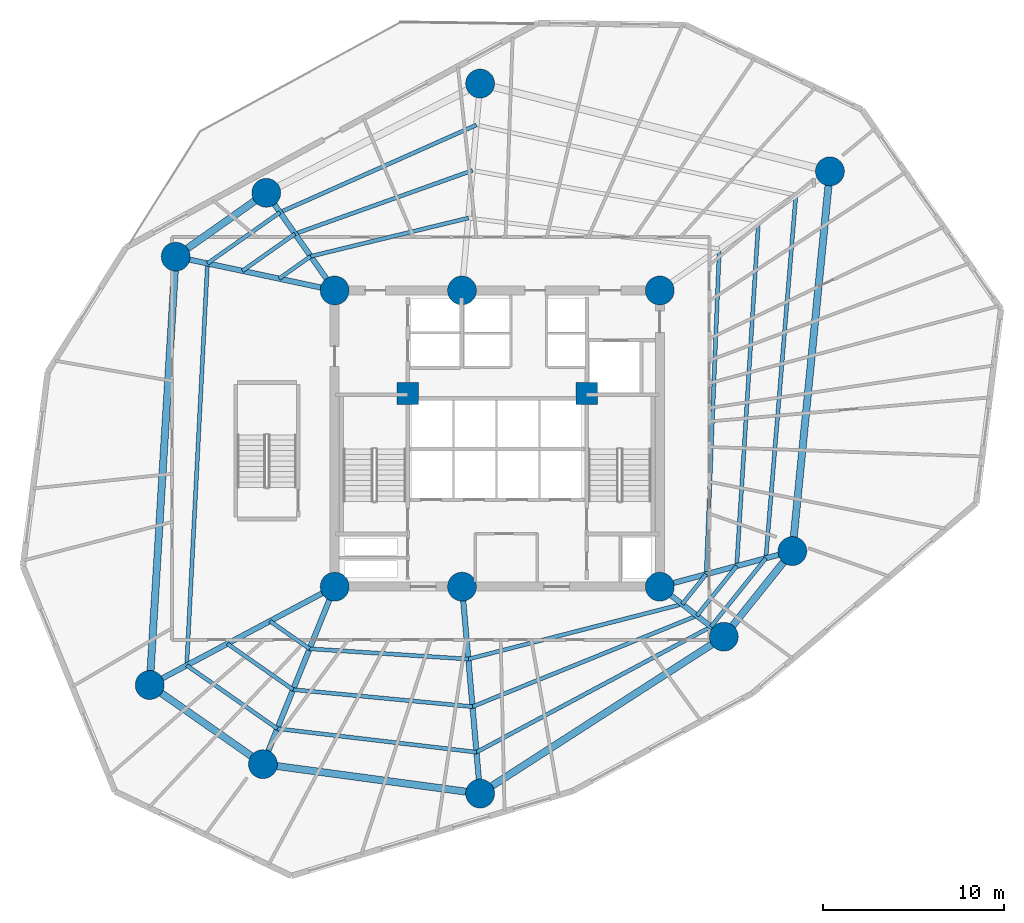
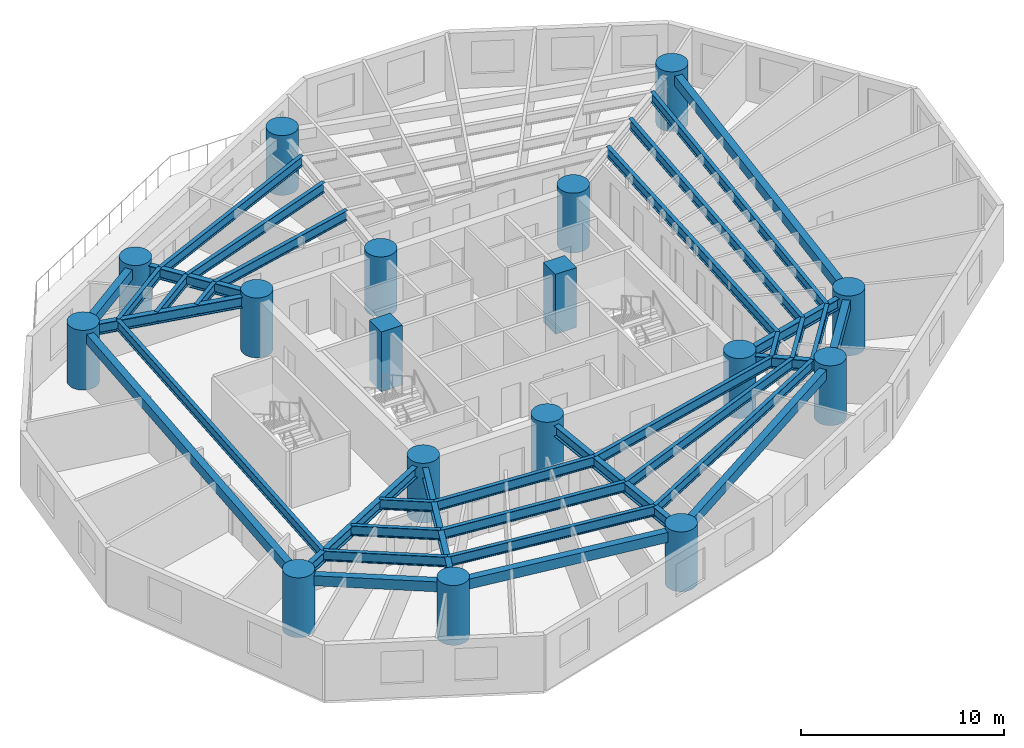
# One storey, part 1 of 9: 36 beams, 17 columns.
"""IFC4 building model written with IfcOpenShell, lengths in metres."""

import ifcopenshell
import ifcopenshell.guid

model = None  # the IFC model being written
_history = None  # IfcOwnerHistory: only IFC2X3 demands one
_inside = {}  # id of a spatial element -> (the spatial element, [elements in it])
_under = {}  # id of a project, library or spatial element -> (it, [spatial elements below it])
_declared = {}  # id of a project -> (the project, [libraries it declares])
_typed = {}  # id of a type object -> (the type object, [elements of that type])
_made_of = {}  # id of a material, layer set ... -> (it, [elements and type objects made of it])


def new_model(schema):
    """Start an empty IFC model of exactly this schema.

    Asked for "IFC4X3", IfcOpenShell would pick the latest addendum, in which some entities
    have other attributes; the version numbers below select the first issue.
    IFC2X3 requires an IfcOwnerHistory on every rooted entity: one is made here for all.
    """
    global model, _history
    if schema == "IFC4X3":
        model = ifcopenshell.file(schema_version=(4, 3, 0, 0))
    else:
        model = ifcopenshell.file(schema=schema)
    _inside.clear()
    _under.clear()
    _declared.clear()
    _typed.clear()
    _made_of.clear()
    _history = None
    if model.schema == "IFC2X3":
        org = make("IfcOrganization", Name="unknown")
        user = make(
            "IfcPersonAndOrganization",
            ThePerson=make("IfcPerson", FamilyName="unknown"),
            TheOrganization=org,
        )
        app = make(
            "IfcApplication",
            ApplicationDeveloper=org,
            Version="unknown",
            ApplicationFullName="unknown",
            ApplicationIdentifier="unknown",
        )
        _history = make(
            "IfcOwnerHistory",
            OwningUser=user,
            OwningApplication=app,
            ChangeAction="ADDED",
            CreationDate=0,
        )
    return model


def make(cls, **values):
    """One entity of the class cls with the attributes given. An attribute that is None is left unset."""
    return model.create_entity(
        cls, **{name: value for name, value in values.items() if value is not None}
    )


def rooted(cls, **values):
    """An entity with a GlobalId (a new one), such as an element, a storey or a relation."""
    return make(cls, GlobalId=ifcopenshell.guid.new(), OwnerHistory=_history, **values)


def si_unit(unit_type, name, prefix=None):
    """IfcSIUnit, for example si_unit("LENGTHUNIT", "METRE", prefix="MILLI")."""
    return make("IfcSIUnit", UnitType=unit_type, Prefix=prefix, Name=name)


def assignment(units):
    """IfcUnitAssignment: the units of a project."""
    return None if units is None else make("IfcUnitAssignment", Units=units)


def point(xyz):
    """IfcCartesianPoint."""
    return None if xyz is None else make("IfcCartesianPoint", Coordinates=xyz)


def direction(xyz):
    """IfcDirection."""
    return None if xyz is None else make("IfcDirection", DirectionRatios=xyz)


def frame(location, z_axis=None, x_axis=None):
    """IfcAxis2Placement3D, a coordinate frame: its origin and axes. An axis left out is left unset."""
    return make(
        "IfcAxis2Placement3D",
        Location=point(location),
        Axis=direction(z_axis),
        RefDirection=direction(x_axis),
    )


def frame_2d(location, x_axis=None):
    """IfcAxis2Placement2D, a coordinate frame in the plane: its origin and x axis."""
    return make(
        "IfcAxis2Placement2D", Location=point(location), RefDirection=direction(x_axis)
    )


def origin():
    """The frame at (0, 0, 0) with its axes left unset."""
    return frame((0.0, 0.0, 0.0))


def origin_with_axes():
    """The frame at (0, 0, 0) with the z axis (0, 0, 1) and the x axis (1, 0, 0) written out."""
    return frame((0.0, 0.0, 0.0), z_axis=(0.0, 0.0, 1.0), x_axis=(1.0, 0.0, 0.0))


def origin_2d():
    """The frame at (0, 0) in the plane with its x axis left unset."""
    return frame_2d((0.0, 0.0))


def place(relative_to, where):
    """IfcLocalPlacement: puts the frame where relative to a parent placement (None: the world)."""
    return make(
        "IfcLocalPlacement", PlacementRelTo=relative_to, RelativePlacement=where
    )


def context(
    kind, dimensions, precision=None, world=None, true_north=None, identifier=None
):
    """IfcGeometricRepresentationContext, for example the 3D "Model" context."""
    return make(
        "IfcGeometricRepresentationContext",
        ContextIdentifier=identifier,
        ContextType=kind,
        CoordinateSpaceDimension=dimensions,
        Precision=precision,
        WorldCoordinateSystem=world,
        TrueNorth=true_north,
    )


def subcontext(parent, identifier, kind, view, scale=None):
    """IfcGeometricRepresentationSubContext, for example "Body" below "Model"."""
    return make(
        "IfcGeometricRepresentationSubContext",
        ContextIdentifier=identifier,
        ContextType=kind,
        ParentContext=parent,
        TargetScale=scale,
        TargetView=view,
    )


def project(units=None, contexts=None):
    """IfcProject with its units and contexts."""
    return rooted(
        "IfcProject",
        Name="project",
        RepresentationContexts=contexts,
        UnitsInContext=assignment(units),
    )


def spatial(cls, under=None, at=None, **own):
    """A site, building, storey or space (cls), placed at a placement, below another one or the project."""
    s = rooted(cls, ObjectPlacement=at, **own)
    if under is not None:
        _under.setdefault(under.id(), (under, []))[1].append(s)
    return s


def profile(cls, at=None, kind="AREA", **sizes):
    """A parametric profile (cls). Its sizes go by their IFC names, for example OverallWidth=200.0."""
    return make(cls, ProfileType=kind, Position=at, **sizes)


def rectangle(**sizes):
    """IfcRectangleProfileDef."""
    return profile("IfcRectangleProfileDef", **sizes)


def circle(**sizes):
    """IfcCircleProfileDef."""
    return profile("IfcCircleProfileDef", **sizes)


def i_section(**sizes):
    """IfcIShapeProfileDef."""
    return profile("IfcIShapeProfileDef", **sizes)


def extrude(swept, where, along, depth):
    """IfcExtrudedAreaSolid: the profile swept, set in the frame where, extruded along a direction by depth."""
    return make(
        "IfcExtrudedAreaSolid",
        SweptArea=swept,
        Position=where,
        ExtrudedDirection=direction(along),
        Depth=depth,
    )


def shape(context_of_items, identifier, shape_type, items):
    """IfcShapeRepresentation: the items that make up one representation, for example the "Body"."""
    return make(
        "IfcShapeRepresentation",
        ContextOfItems=context_of_items,
        RepresentationIdentifier=identifier,
        RepresentationType=shape_type,
        Items=items,
    )


def source(mapping_origin, context_of_items, identifier, shape_type, items):
    """IfcRepresentationMap: a shape defined once, which mapped items show again and again."""
    return make(
        "IfcRepresentationMap",
        MappingOrigin=mapping_origin,
        MappedRepresentation=shape(context_of_items, identifier, shape_type, items),
    )


def transform(
    local_origin,
    x_axis=None,
    y_axis=None,
    z_axis=None,
    scale=None,
    scale2=None,
    scale3=None,
    uniform=True,
):
    """IfcCartesianTransformationOperator3D, or its non-uniform kind. x_axis, y_axis, z_axis: its Axis1, 2, 3."""
    if uniform:
        return make(
            "IfcCartesianTransformationOperator3D",
            Axis1=direction(x_axis),
            Axis2=direction(y_axis),
            LocalOrigin=point(local_origin),
            Scale=scale,
            Axis3=direction(z_axis),
        )
    return make(
        "IfcCartesianTransformationOperator3DnonUniform",
        Axis1=direction(x_axis),
        Axis2=direction(y_axis),
        LocalOrigin=point(local_origin),
        Scale=scale,
        Axis3=direction(z_axis),
        Scale2=scale2,
        Scale3=scale3,
    )


def mapped(mapping_source, mapping_target):
    """IfcMappedItem: shows the shape of a source again, moved by a transform."""
    return make(
        "IfcMappedItem", MappingSource=mapping_source, MappingTarget=mapping_target
    )


def material(Name=None, Category=None):
    """IfcMaterial."""
    return make("IfcMaterial", Name=Name, Category=Category)


def material_profile(
    of_material, cross_section, Name=None, Category=None, Priority=None
):
    """IfcMaterialProfile: a cross section and its material."""
    return make(
        "IfcMaterialProfile",
        Name=Name,
        Material=of_material,
        Profile=cross_section,
        Priority=Priority,
        Category=Category,
    )


def profile_set(profiles, Name=None, composite=None):
    """IfcMaterialProfileSet."""
    return make(
        "IfcMaterialProfileSet",
        Name=Name,
        MaterialProfiles=profiles,
        CompositeProfile=composite,
    )


def made_of(thing, what):
    """Note that an element or type object is made of a material, layer set ...; save() writes the relation."""
    if what is not None:
        _made_of.setdefault(what.id(), (what, []))[1].append(thing)
    return thing


def type_object(cls, material=None, **own):
    """A type object (cls), such as IfcWallType, which elements share."""
    return made_of(rooted(cls, **own), material)


def element(
    cls,
    number,
    at=None,
    inside=None,
    cuts=None,
    type_object=None,
    material=None,
    context=None,
    identifier="Body",
    shape_type=None,
    held_by="IfcProductDefinitionShape",
    body=None,
    shapes=None,
    **own,
):
    """One element of the class cls, such as IfcWall. Its Tag is "e" and its number.

    at: its placement. inside: the storey or other place that contains it. cuts: it is an
    opening in that element (IfcRelVoidsElement). A single representation is given by context,
    identifier, shape_type and body (its items); several are given by shapes. held_by: the class
    of the entity that holds the representations. save() writes the other relations.
    """
    e = rooted(cls, Tag="e%d" % number, ObjectPlacement=at, **own)
    if body is not None:
        shapes = [shape(context, identifier, shape_type, body)]
    if shapes is not None:
        e.Representation = make(held_by, Representations=shapes)
    if inside is not None:
        _inside.setdefault(inside.id(), (inside, []))[1].append(e)
    if cuts is not None:
        rooted(
            "IfcRelVoidsElement", RelatingBuildingElement=cuts, RelatedOpeningElement=e
        )
    if type_object is not None:
        _typed.setdefault(type_object.id(), (type_object, []))[1].append(e)
    return made_of(e, material)


def aggregate(whole, parts):
    """IfcRelAggregates: a whole, such as a stair, and the parts it consists of."""
    return rooted("IfcRelAggregates", RelatingObject=whole, RelatedObjects=parts)


def save(model, path):
    """Write the relations noted so far, then the file.

    IfcRelAggregates (storeys below a building ...), IfcRelContainedInSpatialStructure (elements
    in a storey), IfcRelDefinesByType, IfcRelAssociatesMaterial and IfcRelDeclares: one each for
    every whole, place, type object, material and project.
    """
    for whole, parts in _under.values():
        aggregate(whole, parts)
    for where, things in _inside.values():
        rooted(
            "IfcRelContainedInSpatialStructure",
            RelatedElements=things,
            RelatingStructure=where,
        )
    for kind, things in _typed.values():
        rooted("IfcRelDefinesByType", RelatedObjects=things, RelatingType=kind)
    for what, things in _made_of.values():
        rooted("IfcRelAssociatesMaterial", RelatedObjects=things, RelatingMaterial=what)
    for by, libraries in _declared.values():
        rooted("IfcRelDeclares", RelatingContext=by, RelatedDefinitions=libraries)
    model.write(path)


model = new_model("IFC4")

# Units and contexts
model_context = context("Model", 3, precision=1e-05, world=origin(), true_north=direction((0.0, 1.0)))
body_context = subcontext(model_context, "Body", "Model", "MODEL_VIEW")
ifc_project = project(units=[si_unit("LENGTHUNIT", "METRE"), si_unit("AREAUNIT", "SQUARE_METRE"), si_unit("VOLUMEUNIT", "CUBIC_METRE"), si_unit("PLANEANGLEUNIT", "RADIAN"), si_unit("MASSUNIT", "GRAM", prefix="KILO")], contexts=[model_context])

# Site, building, storey
site_placement = place(None, origin())
site = spatial("IfcSite", under=ifc_project, at=site_placement, CompositionType="ELEMENT")
building_placement = place(site_placement, origin())
building = spatial("IfcBuilding", under=site, at=building_placement, Name="Karkom Vertical University and Central Library", CompositionType="ELEMENT")
storey_placement = place(building_placement, frame((0.0, 0.0, 26.5)))
storey = spatial("IfcBuildingStorey", under=building, at=storey_placement, Name="L06", CompositionType="ELEMENT", Elevation=26.5)

# Columns
ifc_material_1 = material(Name="Concrete C50/60", Category="concrete")
ifc_material_profile_1 = material_profile(ifc_material_1, circle(Radius=0.800048828125, at=origin_2d()), Name="CFT-D1600")
ifc_profile_set_1 = profile_set([ifc_material_profile_1], Name="Concrete C50/60")
column_type_1 = type_object("IfcColumnType", Name="STR-COL-C-SC2", PredefinedType="COLUMN", material=ifc_profile_set_1)
shared_shape_1 = source(origin_with_axes(), body_context, "Body", "SweptSolid", [
    extrude(circle(Radius=0.800048828125, at=origin_2d()), origin(), (0.0, 0.0, 1.0), 3.60009765625),
])
for number, where, z_axis, x_axis, name in (
    (1, (19.5, 18.300048828125, 0.0), (0.0, 0.0, 1.0), (1.0, 0.0, 0.0), "Level 06 Spine Mega-Column SC-1"),
    (2, (26.550048828125, 18.300048828125, 0.0), (0.0, 0.0, 1.0), (1.0, 0.0, 0.0), "Level 06 Spine Mega-Column SC-2"),
    (3, (37.5, 18.300048828125, 0.0), (0.0, 0.0, 1.0), (1.0, 0.0, 0.0), "Level 06 Spine Mega-Column SC-3"),
    (4, (19.5, 34.699951171875, 0.0), (0.0, 0.0, 1.0), (1.0, 0.0, 0.0), "Level 06 Spine Mega-Column SC-4"),
    (5, (26.550048828125, 34.699951171875, 0.0), (0.0, 0.0, 1.0), (1.0, 0.0, 0.0), "Level 06 Spine Mega-Column SC-5"),
    (6, (37.5, 34.699951171875, 0.0), (0.0, 0.0, 1.0), (1.0, 0.0, 0.0), "Level 06 Spine Mega-Column SC-6"),
    (7, (44.841064453125, 20.26708984375, 0.0), (0.0, 0.0, 1.0), (1.0, 0.0, 0.0), "Level 06 Perimeter Mega-Column Z1-PC1"),
    (8, (46.919921875, 41.2958984375, 0.0), (0.0, 0.0, 1.0), (1.0, 0.0, 0.0), "Level 06 Perimeter Mega-Column Z1-PC2"),
    (9, (27.552001953125, 46.156005859375, 0.0), (0.0, 0.0, 1.0), (1.0, 0.0, 0.0), "Level 06 Perimeter Mega-Column Z1-PC3"),
    (10, (15.714111328125, 40.10595703125, 0.0), (0.0, 0.0, 1.0), (1.0, 0.0, 0.0), "Level 06 Perimeter Mega-Column Z1-PC4"),
    (11, (10.697021484375, 36.571044921875, 0.0), (0.0, 0.0, 1.0), (1.0, 0.0, 0.0), "Level 06 Perimeter Mega-Column Z1-PC5"),
    (12, (9.258056640625, 12.85400390625, 0.0), (0.0, 0.0, 1.0), (1.0, 0.0, 0.0), "Level 06 Perimeter Mega-Column Z1-PC6"),
    (13, (15.529052734375, 8.471923828125, 0.0), (0.0, 0.0, 1.0), (1.0, 0.0, 0.0), "Level 06 Perimeter Mega-Column Z1-PC7"),
    (14, (27.552001953125, 6.843994140625, 0.0), (0.0, 0.0, 1.0), (1.0, 0.0, 0.0), "Level 06 Perimeter Mega-Column Z1-PC8"),
    (15, (41.0458984375, 15.530029296875, 0.0), (0.0, 0.0, 1.0), (1.0, 0.0, 0.0), "Level 06 Perimeter Mega-Column Z1-PC9"),
):
    element("IfcColumn", number, at=place(storey_placement, frame(where, z_axis=z_axis, x_axis=x_axis)), inside=storey, type_object=column_type_1, Name=name, PredefinedType="COLUMN", context=body_context, shape_type="MappedRepresentation", body=[
        mapped(shared_shape_1, transform((0.0, 0.0, 0.0), scale=1.0)),
    ])
ifc_material_profile_2 = material_profile(ifc_material_1, rectangle(XDim=1.199951171875, YDim=1.199951171875, at=origin_2d()), Name="RC-1200x1200")
ifc_profile_set_2 = profile_set([ifc_material_profile_2], Name="Concrete C50/60")
column_type_2 = type_object("IfcColumnType", Name="STR-COL-C-CC1", PredefinedType="COLUMN", material=ifc_profile_set_2)
shared_shape_2 = source(origin_with_axes(), body_context, "Body", "SweptSolid", [
    extrude(rectangle(XDim=1.199951171875, YDim=1.199951171875, at=origin_2d()), origin(), (0.0, 0.0, 1.0), 3.60009765625),
])
for number, where, z_axis, x_axis, name in (
    (16, (23.550048828125, 29.0, 0.0), (0.0, 0.0, 1.0), (1.0, 0.0, 0.0), "Level 06 Core Node Column CC-1"),
    (17, (33.449951171875, 29.0, 0.0), (0.0, 0.0, 1.0), (1.0, 0.0, 0.0), "Level 06 Core Node Column CC-2"),
):
    element("IfcColumn", number, at=place(storey_placement, frame(where, z_axis=z_axis, x_axis=x_axis)), inside=storey, type_object=column_type_2, Name=name, PredefinedType="COLUMN", context=body_context, shape_type="MappedRepresentation", body=[
        mapped(shared_shape_2, transform((0.0, 0.0, 0.0), scale=1.0)),
    ])

# Beams
ifc_material_2 = material(Name="Steel S355", Category="steel")
ifc_material_profile_3 = material_profile(ifc_material_2, i_section(OverallWidth=0.300048828125, OverallDepth=0.64990234375, WebThickness=0.01611328125, FlangeThickness=0.031005859375, FilletRadius=0.027099609375, at=origin_2d()), Name="HE 650 B")
ifc_profile_set_3 = profile_set([ifc_material_profile_3], Name="Steel S355")
beam_type_1 = type_object("IfcBeamType", Name="STR-BM-SB-HE650", PredefinedType="USERDEFINED", material=ifc_profile_set_3)
shared_shape_3 = source(origin_with_axes(), body_context, "Body", "SweptSolid", [
    extrude(i_section(OverallWidth=0.300048828125, OverallDepth=0.64990234375, WebThickness=0.01611328125, FlangeThickness=0.031005859375, FilletRadius=0.027099609375, at=origin_2d()), origin(), (0.0, 0.0, 1.0), 7.60009765625),
])
beam_1_placement = place(storey_placement, frame((37.5, 18.300048828125, 3.02490234375), z_axis=(0.965925539322, 0.258820116077, 0.0), x_axis=(-0.258820116077, 0.965925539322, 0.0)))
element("IfcBeam", 18, at=beam_1_placement, inside=storey, type_object=beam_type_1, Name="Level 06 Radial Frame Girder 01", ObjectType="GIRDER", PredefinedType="USERDEFINED", context=body_context, shape_type="MappedRepresentation", body=[
    mapped(shared_shape_3, transform((0.0, 0.0, 0.0), scale=1.0)),
])
shared_shape_4 = source(origin_with_axes(), body_context, "Body", "SweptSolid", [
    extrude(i_section(OverallWidth=0.300048828125, OverallDepth=0.64990234375, WebThickness=0.01611328125, FlangeThickness=0.031005859375, FilletRadius=0.027099609375, at=origin_2d()), origin(), (0.0, 0.0, 1.0), 11.499755859375),
])
beam_2_placement = place(storey_placement, frame((26.550048828125, 18.300048828125, 3.02490234375), z_axis=(0.087127973109, -0.99619712723, 0.0), x_axis=(0.99619712723, 0.087127973109, 0.0)))
element("IfcBeam", 19, at=beam_2_placement, inside=storey, type_object=beam_type_1, Name="Level 06 Radial Frame Girder 08", ObjectType="GIRDER", PredefinedType="USERDEFINED", context=body_context, shape_type="MappedRepresentation", body=[
    mapped(shared_shape_4, transform((0.0, 0.0, 0.0), scale=1.0)),
])
shared_shape_5 = source(origin_with_axes(), body_context, "Body", "SweptSolid", [
    extrude(i_section(OverallWidth=0.300048828125, OverallDepth=0.64990234375, WebThickness=0.01611328125, FlangeThickness=0.031005859375, FilletRadius=0.027099609375, at=origin_2d()), origin(), (0.0, 0.0, 1.0), 6.599853515625),
])
beam_3_placement = place(storey_placement, frame((19.5, 34.699951171875, 3.02490234375), z_axis=(-0.573633636671, 0.819111989218, 0.0), x_axis=(-0.819111989218, -0.573633636671, 0.0)))
element("IfcBeam", 20, at=beam_3_placement, inside=storey, type_object=beam_type_1, Name="Level 06 Radial Frame Girder 04", ObjectType="GIRDER", PredefinedType="USERDEFINED", context=body_context, shape_type="MappedRepresentation", body=[
    mapped(shared_shape_5, transform((0.0, 0.0, 0.0), scale=1.0)),
])
shared_shape_6 = source(origin_with_axes(), body_context, "Body", "SweptSolid", [
    extrude(i_section(OverallWidth=0.300048828125, OverallDepth=0.64990234375, WebThickness=0.01611328125, FlangeThickness=0.031005859375, FilletRadius=0.027099609375, at=origin_2d()), origin(), (0.0, 0.0, 1.0), 8.999755859375),
])
beam_4_placement = place(storey_placement, frame((19.5, 34.699951171875, 3.02490234375), z_axis=(-0.978148438993, 0.207907747079, 0.0), x_axis=(-0.207907747079, -0.978148438993, 0.0)))
element("IfcBeam", 21, at=beam_4_placement, inside=storey, type_object=beam_type_1, Name="Level 06 Radial Frame Girder 05", ObjectType="GIRDER", PredefinedType="USERDEFINED", context=body_context, shape_type="MappedRepresentation", body=[
    mapped(shared_shape_6, transform((0.0, 0.0, 0.0), scale=1.0)),
])
shared_shape_7 = source(origin_with_axes(), body_context, "Body", "SweptSolid", [
    extrude(i_section(OverallWidth=0.300048828125, OverallDepth=0.64990234375, WebThickness=0.01611328125, FlangeThickness=0.031005859375, FilletRadius=0.027099609375, at=origin_2d()), origin(), (0.0, 0.0, 1.0), 11.599853515625),
])
beam_5_placement = place(storey_placement, frame((19.5, 18.300048828125, 3.02490234375), z_axis=(-0.882936620635, -0.469492197957, 0.0), x_axis=(0.469492197957, -0.882936620635, 0.0)))
element("IfcBeam", 22, at=beam_5_placement, inside=storey, type_object=beam_type_1, Name="Level 06 Radial Frame Girder 06", ObjectType="GIRDER", PredefinedType="USERDEFINED", context=body_context, shape_type="MappedRepresentation", body=[
    mapped(shared_shape_7, transform((0.0, 0.0, 0.0), scale=1.0)),
])
shared_shape_8 = source(origin_with_axes(), body_context, "Body", "SweptSolid", [
    extrude(i_section(OverallWidth=0.300048828125, OverallDepth=0.64990234375, WebThickness=0.01611328125, FlangeThickness=0.031005859375, FilletRadius=0.027099609375, at=origin_2d()), origin(), (0.0, 0.0, 1.0), 10.60009765625),
])
beam_6_placement = place(storey_placement, frame((19.5, 18.300048828125, 3.02490234375), z_axis=(-0.374616894394, -0.927179692635, 0.0), x_axis=(0.927179692635, -0.374616894394, 0.0)))
element("IfcBeam", 23, at=beam_6_placement, inside=storey, type_object=beam_type_1, Name="Level 06 Radial Frame Girder 07", ObjectType="GIRDER", PredefinedType="USERDEFINED", context=body_context, shape_type="MappedRepresentation", body=[
    mapped(shared_shape_8, transform((0.0, 0.0, 0.0), scale=1.0)),
])
shared_shape_9 = source(origin_with_axes(), body_context, "Body", "SweptSolid", [
    extrude(i_section(OverallWidth=0.300048828125, OverallDepth=0.64990234375, WebThickness=0.01611328125, FlangeThickness=0.031005859375, FilletRadius=0.027099609375, at=origin_2d()), origin(), (0.0, 0.0, 1.0), 4.49951171875),
])
beam_7_placement = place(storey_placement, frame((37.5, 18.300048828125, 3.02490234375), z_axis=(0.788047405801, -0.615614559778, 0.0), x_axis=(0.615614559778, 0.788047405801, 0.0)))
element("IfcBeam", 24, at=beam_7_placement, inside=storey, type_object=beam_type_1, Name="Level 06 Radial Frame Girder 09", ObjectType="GIRDER", PredefinedType="USERDEFINED", context=body_context, shape_type="MappedRepresentation", body=[
    mapped(shared_shape_9, transform((0.0, 0.0, 0.0), scale=1.0)),
])
ifc_material_3 = material(Name="Precast concrete C45/55", Category="concrete")
ifc_material_profile_4 = material_profile(ifc_material_3, rectangle(XDim=0.39990234375, YDim=0.60009765625, at=origin_2d()), Name="SPB-400x600")
ifc_profile_set_4 = profile_set([ifc_material_profile_4], Name="Precast concrete C45/55")
beam_type_2 = type_object("IfcBeamType", Name="STR-BM-SP-1", PredefinedType="SPANDREL", material=ifc_profile_set_4)
shared_shape_10 = source(origin_with_axes(), body_context, "Body", "SweptSolid", [
    extrude(rectangle(XDim=0.39990234375, YDim=0.60009765625, at=origin_2d()), origin(), (0.0, 0.0, 1.0), 21.13134765625),
])
beam_8_placement = place(storey_placement, frame((44.841064453125, 20.26708984375, 3.050048828125), z_axis=(0.0983780471, 0.995149114379, 0.0), x_axis=(-0.995149114379, 0.0983780471, 0.0)))
element("IfcBeam", 25, at=beam_8_placement, inside=storey, type_object=beam_type_2, Name="Level 06 Perimeter Spandrel Beam 01", PredefinedType="SPANDREL", context=body_context, shape_type="MappedRepresentation", body=[
    mapped(shared_shape_10, transform((0.0, 0.0, 0.0), scale=1.0)),
])
shared_shape_11 = source(origin_with_axes(), body_context, "Body", "SweptSolid", [
    extrude(rectangle(XDim=0.39990234375, YDim=0.60009765625, at=origin_2d()), origin(), (0.0, 0.0, 1.0), 6.13720703125),
])
beam_9_placement = place(storey_placement, frame((15.714111328125, 40.10595703125, 3.050048828125), z_axis=(-0.817471365538, -0.575969240955, 0.0), x_axis=(0.575969240955, -0.817471365538, 0.0)))
element("IfcBeam", 26, at=beam_9_placement, inside=storey, type_object=beam_type_2, Name="Level 06 Perimeter Spandrel Beam 04", PredefinedType="SPANDREL", context=body_context, shape_type="MappedRepresentation", body=[
    mapped(shared_shape_11, transform((0.0, 0.0, 0.0), scale=1.0)),
])
shared_shape_12 = source(origin_with_axes(), body_context, "Body", "SweptSolid", [
    extrude(rectangle(XDim=0.39990234375, YDim=0.60009765625, at=origin_2d()), origin(), (0.0, 0.0, 1.0), 23.7607421875),
])
beam_10_placement = place(storey_placement, frame((10.697021484375, 36.571044921875, 3.050048828125), z_axis=(-0.060560827767, -0.998164508556, 0.0), x_axis=(0.998164508556, -0.060560827767, 0.0)))
element("IfcBeam", 27, at=beam_10_placement, inside=storey, type_object=beam_type_2, Name="Level 06 Perimeter Spandrel Beam 05", PredefinedType="SPANDREL", context=body_context, shape_type="MappedRepresentation", body=[
    mapped(shared_shape_12, transform((0.0, 0.0, 0.0), scale=1.0)),
])
shared_shape_13 = source(origin_with_axes(), body_context, "Body", "SweptSolid", [
    extrude(rectangle(XDim=0.39990234375, YDim=0.60009765625, at=origin_2d()), origin(), (0.0, 0.0, 1.0), 7.650390625),
])
beam_11_placement = place(storey_placement, frame((9.258056640625, 12.85400390625, 3.050048828125), z_axis=(0.819699409527, -0.572793922822, 0.0), x_axis=(0.572793922822, 0.819699409527, 0.0)))
element("IfcBeam", 28, at=beam_11_placement, inside=storey, type_object=beam_type_2, Name="Level 06 Perimeter Spandrel Beam 06", PredefinedType="SPANDREL", context=body_context, shape_type="MappedRepresentation", body=[
    mapped(shared_shape_13, transform((0.0, 0.0, 0.0), scale=1.0)),
])
shared_shape_14 = source(origin_with_axes(), body_context, "Body", "SweptSolid", [
    extrude(rectangle(XDim=0.39990234375, YDim=0.60009765625, at=origin_2d()), origin(), (0.0, 0.0, 1.0), 12.132568359375),
])
beam_12_placement = place(storey_placement, frame((15.529052734375, 8.471923828125, 3.050048828125), z_axis=(0.990957319008, -0.134177464223, 0.0), x_axis=(0.134177464223, 0.990957319008, 0.0)))
element("IfcBeam", 29, at=beam_12_placement, inside=storey, type_object=beam_type_2, Name="Level 06 Perimeter Spandrel Beam 07", PredefinedType="SPANDREL", context=body_context, shape_type="MappedRepresentation", body=[
    mapped(shared_shape_14, transform((0.0, 0.0, 0.0), scale=1.0)),
])
shared_shape_15 = source(origin_with_axes(), body_context, "Body", "SweptSolid", [
    extrude(rectangle(XDim=0.39990234375, YDim=0.60009765625, at=origin_2d()), origin(), (0.0, 0.0, 1.0), 16.0478515625),
])
beam_13_placement = place(storey_placement, frame((27.552001953125, 6.843994140625, 3.050048828125), z_axis=(0.84085555045, 0.541259589548, 0.0), x_axis=(-0.541259589548, 0.84085555045, 0.0)))
element("IfcBeam", 30, at=beam_13_placement, inside=storey, type_object=beam_type_2, Name="Level 06 Perimeter Spandrel Beam 08", PredefinedType="SPANDREL", context=body_context, shape_type="MappedRepresentation", body=[
    mapped(shared_shape_15, transform((0.0, 0.0, 0.0), scale=1.0)),
])
shared_shape_16 = source(origin_with_axes(), body_context, "Body", "SweptSolid", [
    extrude(rectangle(XDim=0.39990234375, YDim=0.60009765625, at=origin_2d()), origin(), (0.0, 0.0, 1.0), 6.06982421875),
])
beam_14_placement = place(storey_placement, frame((41.0458984375, 15.530029296875, 3.050048828125), z_axis=(0.625249167344, 0.780425190992, 0.0), x_axis=(-0.780425190992, 0.625249167344, 0.0)))
element("IfcBeam", 31, at=beam_14_placement, inside=storey, type_object=beam_type_2, Name="Level 06 Perimeter Spandrel Beam 09", PredefinedType="SPANDREL", context=body_context, shape_type="MappedRepresentation", body=[
    mapped(shared_shape_16, transform((0.0, 0.0, 0.0), scale=1.0)),
])
ifc_material_profile_5 = material_profile(ifc_material_2, i_section(OverallWidth=0.219970703125, OverallDepth=0.60009765625, WebThickness=0.011962890625, FlangeThickness=0.01904296875, FilletRadius=0.02392578125, at=origin_2d()), Name="IPE 600")
ifc_profile_set_5 = profile_set([ifc_material_profile_5], Name="Steel S355")
beam_type_3 = type_object("IfcBeamType", Name="STR-BM-SB-IPE600", PredefinedType="BEAM", material=ifc_profile_set_5)
shared_shape_17 = source(origin_with_axes(), body_context, "Body", "SweptSolid", [
    extrude(i_section(OverallWidth=0.219970703125, OverallDepth=0.60009765625, WebThickness=0.011962890625, FlangeThickness=0.01904296875, FilletRadius=0.02392578125, at=origin_2d()), origin(), (0.0, 0.0, 1.0), 18.03466796875),
])
beam_15_placement = place(storey_placement, frame((40.0693359375, 18.988525390625, 3.050048828125), z_axis=(0.04035458262, 0.999185422062, 0.0), x_axis=(-0.999185422062, 0.04035458262, 0.0)))
element("IfcBeam", 32, at=beam_15_placement, inside=storey, type_object=beam_type_3, Name="Level 06 Secondary Composite Floor Beam 1.01", PredefinedType="BEAM", context=body_context, shape_type="MappedRepresentation", body=[
    mapped(shared_shape_17, transform((0.0, 0.0, 0.0), scale=1.0)),
])
shared_shape_18 = source(origin_with_axes(), body_context, "Body", "SweptSolid", [
    extrude(i_section(OverallWidth=0.219970703125, OverallDepth=0.60009765625, WebThickness=0.011962890625, FlangeThickness=0.01904296875, FilletRadius=0.02392578125, at=origin_2d()), origin(), (0.0, 0.0, 1.0), 8.97900390625),
])
beam_16_placement = place(storey_placement, frame((26.900634765625, 38.709716796875, 3.050048828125), z_axis=(-0.971790837509, -0.235844372697, 0.0), x_axis=(0.235844372697, -0.971790837509, 0.0)))
element("IfcBeam", 33, at=beam_16_placement, inside=storey, type_object=beam_type_3, Name="Level 06 Secondary Composite Floor Beam 1.03", PredefinedType="BEAM", context=body_context, shape_type="MappedRepresentation", body=[
    mapped(shared_shape_18, transform((0.0, 0.0, 0.0), scale=1.0)),
])
shared_shape_19 = source(origin_with_axes(), body_context, "Body", "SweptSolid", [
    extrude(i_section(OverallWidth=0.219970703125, OverallDepth=0.60009765625, WebThickness=0.011962890625, FlangeThickness=0.01904296875, FilletRadius=0.02392578125, at=origin_2d()), origin(), (0.0, 0.0, 1.0), 2.14794921875),
])
beam_17_placement = place(storey_placement, frame((18.1748046875, 36.592041015625, 3.050048828125), z_axis=(-0.817433780971, -0.576022580918, 0.0), x_axis=(0.576022580918, -0.817433780971, 0.0)))
element("IfcBeam", 34, at=beam_17_placement, inside=storey, type_object=beam_type_3, Name="Level 06 Secondary Composite Floor Beam 1.04", PredefinedType="BEAM", context=body_context, shape_type="MappedRepresentation", body=[
    mapped(shared_shape_19, transform((0.0, 0.0, 0.0), scale=1.0)),
])
shared_shape_20 = source(origin_with_axes(), body_context, "Body", "SweptSolid", [
    extrude(i_section(OverallWidth=0.219970703125, OverallDepth=0.60009765625, WebThickness=0.011962890625, FlangeThickness=0.01904296875, FilletRadius=0.02392578125, at=origin_2d()), origin(), (0.0, 0.0, 1.0), 2.677490234375),
])
beam_18_placement = place(storey_placement, frame((15.915283203125, 16.393798828125, 3.050048828125), z_axis=(0.819702839548, -0.572789014243, 0.0), x_axis=(0.572789014243, 0.819702839548, 0.0)))
element("IfcBeam", 35, at=beam_18_placement, inside=storey, type_object=beam_type_3, Name="Level 06 Secondary Composite Floor Beam 1.06", PredefinedType="BEAM", context=body_context, shape_type="MappedRepresentation", body=[
    mapped(shared_shape_20, transform((0.0, 0.0, 0.0), scale=1.0)),
])
shared_shape_21 = source(origin_with_axes(), body_context, "Body", "SweptSolid", [
    extrude(i_section(OverallWidth=0.219970703125, OverallDepth=0.60009765625, WebThickness=0.011962890625, FlangeThickness=0.01904296875, FilletRadius=0.02392578125, at=origin_2d()), origin(), (0.0, 0.0, 1.0), 8.80908203125),
])
beam_19_placement = place(storey_placement, frame((18.110107421875, 14.860107421875, 3.050048828125), z_axis=(0.997905617906, -0.064686766433, 0.0), x_axis=(0.064686766433, 0.997905617906, 0.0)))
element("IfcBeam", 36, at=beam_19_placement, inside=storey, type_object=beam_type_3, Name="Level 06 Secondary Composite Floor Beam 1.07", PredefinedType="BEAM", context=body_context, shape_type="MappedRepresentation", body=[
    mapped(shared_shape_21, transform((0.0, 0.0, 0.0), scale=1.0)),
])
shared_shape_22 = source(origin_with_axes(), body_context, "Body", "SweptSolid", [
    extrude(i_section(OverallWidth=0.219970703125, OverallDepth=0.60009765625, WebThickness=0.011962890625, FlangeThickness=0.01904296875, FilletRadius=0.02392578125, at=origin_2d()), origin(), (0.0, 0.0, 1.0), 12.224609375),
])
beam_20_placement = place(storey_placement, frame((26.900634765625, 14.290283203125, 3.050048828125), z_axis=(0.968580403264, 0.248700628092, 0.0), x_axis=(-0.248700628092, 0.968580403264, 0.0)))
element("IfcBeam", 37, at=beam_20_placement, inside=storey, type_object=beam_type_3, Name="Level 06 Secondary Composite Floor Beam 1.08", PredefinedType="BEAM", context=body_context, shape_type="MappedRepresentation", body=[
    mapped(shared_shape_22, transform((0.0, 0.0, 0.0), scale=1.0)),
])
shared_shape_23 = source(origin_with_axes(), body_context, "Body", "SweptSolid", [
    extrude(i_section(OverallWidth=0.219970703125, OverallDepth=0.60009765625, WebThickness=0.011962890625, FlangeThickness=0.01904296875, FilletRadius=0.02392578125, at=origin_2d()), origin(), (0.0, 0.0, 1.0), 2.124267578125),
])
beam_21_placement = place(storey_placement, frame((38.7412109375, 17.33056640625, 3.050048828125), z_axis=(0.625199471959, 0.780465002587, 0.0), x_axis=(-0.780465002587, 0.625199471959, 0.0)))
element("IfcBeam", 38, at=beam_21_placement, inside=storey, type_object=beam_type_3, Name="Level 06 Secondary Composite Floor Beam 1.09", PredefinedType="BEAM", context=body_context, shape_type="MappedRepresentation", body=[
    mapped(shared_shape_23, transform((0.0, 0.0, 0.0), scale=1.0)),
])
shared_shape_24 = source(origin_with_axes(), body_context, "Body", "SweptSolid", [
    extrude(i_section(OverallWidth=0.219970703125, OverallDepth=0.60009765625, WebThickness=0.011962890625, FlangeThickness=0.01904296875, FilletRadius=0.02392578125, at=origin_2d()), origin(), (0.0, 0.0, 1.0), 19.122802734375),
])
beam_22_placement = place(storey_placement, frame((41.7578125, 19.44091796875, 3.050048828125), z_axis=(0.063056264597, 0.998009973645, 0.0), x_axis=(-0.998009973645, 0.063056264597, 0.0)))
element("IfcBeam", 39, at=beam_22_placement, inside=storey, type_object=beam_type_3, Name="Level 06 Secondary Composite Floor Beam 2.01", PredefinedType="BEAM", context=body_context, shape_type="MappedRepresentation", body=[
    mapped(shared_shape_24, transform((0.0, 0.0, 0.0), scale=1.0)),
])
shared_shape_25 = source(origin_with_axes(), body_context, "Body", "SweptSolid", [
    extrude(i_section(OverallWidth=0.219970703125, OverallDepth=0.60009765625, WebThickness=0.011962890625, FlangeThickness=0.01904296875, FilletRadius=0.02392578125, at=origin_2d()), origin(), (0.0, 0.0, 1.0), 10.4345703125),
])
beam_23_placement = place(storey_placement, frame((27.131103515625, 41.344482421875, 3.050048828125), z_axis=(-0.941759378798, -0.336287484819, 0.0), x_axis=(0.336287484819, -0.941759378798, 0.0)))
element("IfcBeam", 40, at=beam_23_placement, inside=storey, type_object=beam_type_3, Name="Level 06 Secondary Composite Floor Beam 2.03", PredefinedType="BEAM", context=body_context, shape_type="MappedRepresentation", body=[
    mapped(shared_shape_25, transform((0.0, 0.0, 0.0), scale=1.0)),
])
shared_shape_26 = source(origin_with_axes(), body_context, "Body", "SweptSolid", [
    extrude(i_section(OverallWidth=0.219970703125, OverallDepth=0.60009765625, WebThickness=0.011962890625, FlangeThickness=0.01904296875, FilletRadius=0.02392578125, at=origin_2d()), origin(), (0.0, 0.0, 1.0), 3.5595703125),
])
beam_24_placement = place(storey_placement, frame((17.30419921875, 37.83544921875, 3.050048828125), z_axis=(-0.817465552849, -0.575977490798, 0.0), x_axis=(0.575977490798, -0.817465552849, 0.0)))
element("IfcBeam", 41, at=beam_24_placement, inside=storey, type_object=beam_type_3, Name="Level 06 Secondary Composite Floor Beam 2.04", PredefinedType="BEAM", context=body_context, shape_type="MappedRepresentation", body=[
    mapped(shared_shape_26, transform((0.0, 0.0, 0.0), scale=1.0)),
])
shared_shape_27 = source(origin_with_axes(), body_context, "Body", "SweptSolid", [
    extrude(i_section(OverallWidth=0.219970703125, OverallDepth=0.60009765625, WebThickness=0.011962890625, FlangeThickness=0.01904296875, FilletRadius=0.02392578125, at=origin_2d()), origin(), (0.0, 0.0, 1.0), 4.437255859375),
])
beam_25_placement = place(storey_placement, frame((13.5595703125, 15.141357421875, 3.050048828125), z_axis=(0.819712425733, -0.572775295468, 0.0), x_axis=(0.572775295468, 0.819712425733, 0.0)))
element("IfcBeam", 42, at=beam_25_placement, inside=storey, type_object=beam_type_3, Name="Level 06 Secondary Composite Floor Beam 2.06", PredefinedType="BEAM", context=body_context, shape_type="MappedRepresentation", body=[
    mapped(shared_shape_27, transform((0.0, 0.0, 0.0), scale=1.0)),
])
shared_shape_28 = source(origin_with_axes(), body_context, "Body", "SweptSolid", [
    extrude(i_section(OverallWidth=0.219970703125, OverallDepth=0.60009765625, WebThickness=0.011962890625, FlangeThickness=0.01904296875, FilletRadius=0.02392578125, at=origin_2d()), origin(), (0.0, 0.0, 1.0), 9.97900390625),
])
beam_26_placement = place(storey_placement, frame((17.19677734375, 12.599853515625, 3.050048828125), z_axis=(0.995512389915, -0.094631292526, 0.0), x_axis=(0.094631292526, 0.995512389915, 0.0)))
element("IfcBeam", 43, at=beam_26_placement, inside=storey, type_object=beam_type_3, Name="Level 06 Secondary Composite Floor Beam 2.07", PredefinedType="BEAM", context=body_context, shape_type="MappedRepresentation", body=[
    mapped(shared_shape_28, transform((0.0, 0.0, 0.0), scale=1.0)),
])
shared_shape_29 = source(origin_with_axes(), body_context, "Body", "SweptSolid", [
    extrude(i_section(OverallWidth=0.219970703125, OverallDepth=0.60009765625, WebThickness=0.011962890625, FlangeThickness=0.01904296875, FilletRadius=0.02392578125, at=origin_2d()), origin(), (0.0, 0.0, 1.0), 13.407958984375),
])
beam_27_placement = place(storey_placement, frame((27.131103515625, 11.655517578125, 3.050048828125), z_axis=(0.926727273371, 0.375734694685, 0.0), x_axis=(-0.375734694685, 0.926727273371, 0.0)))
element("IfcBeam", 44, at=beam_27_placement, inside=storey, type_object=beam_type_3, Name="Level 06 Secondary Composite Floor Beam 2.08", PredefinedType="BEAM", context=body_context, shape_type="MappedRepresentation", body=[
    mapped(shared_shape_29, transform((0.0, 0.0, 0.0), scale=1.0)),
])
shared_shape_30 = source(origin_with_axes(), body_context, "Body", "SweptSolid", [
    extrude(i_section(OverallWidth=0.219970703125, OverallDepth=0.60009765625, WebThickness=0.011962890625, FlangeThickness=0.01904296875, FilletRadius=0.02392578125, at=origin_2d()), origin(), (0.0, 0.0, 1.0), 3.5205078125),
])
beam_28_placement = place(storey_placement, frame((39.556640625, 16.693359375, 3.050048828125), z_axis=(0.62523614548, 0.780435623473, 0.0), x_axis=(-0.780435623473, 0.62523614548, 0.0)))
element("IfcBeam", 45, at=beam_28_placement, inside=storey, type_object=beam_type_3, Name="Level 06 Secondary Composite Floor Beam 2.09", PredefinedType="BEAM", context=body_context, shape_type="MappedRepresentation", body=[
    mapped(shared_shape_30, transform((0.0, 0.0, 0.0), scale=1.0)),
])
shared_shape_31 = source(origin_with_axes(), body_context, "Body", "SweptSolid", [
    extrude(i_section(OverallWidth=0.219970703125, OverallDepth=0.60009765625, WebThickness=0.011962890625, FlangeThickness=0.01904296875, FilletRadius=0.02392578125, at=origin_2d()), origin(), (0.0, 0.0, 1.0), 20.171875),
])
beam_29_placement = place(storey_placement, frame((43.372802734375, 19.87353515625, 3.050048828125), z_axis=(0.082445490935, 0.996595575459, 0.0), x_axis=(-0.996595575459, 0.082445490935, 0.0)))
element("IfcBeam", 46, at=beam_29_placement, inside=storey, type_object=beam_type_3, Name="Level 06 Secondary Composite Floor Beam 3.01", PredefinedType="BEAM", context=body_context, shape_type="MappedRepresentation", body=[
    mapped(shared_shape_31, transform((0.0, 0.0, 0.0), scale=1.0)),
])
shared_shape_32 = source(origin_with_axes(), body_context, "Body", "SweptSolid", [
    extrude(i_section(OverallWidth=0.219970703125, OverallDepth=0.60009765625, WebThickness=0.011962890625, FlangeThickness=0.01904296875, FilletRadius=0.02392578125, at=origin_2d()), origin(), (0.0, 0.0, 1.0), 11.908203125),
])
beam_30_placement = place(storey_placement, frame((27.3515625, 43.86474609375, 3.050048828125), z_axis=(-0.913682996781, -0.406427584441, 0.0), x_axis=(0.406427584441, -0.913682996781, 0.0)))
element("IfcBeam", 47, at=beam_30_placement, inside=storey, type_object=beam_type_3, Name="Level 06 Secondary Composite Floor Beam 3.03", PredefinedType="BEAM", context=body_context, shape_type="MappedRepresentation", body=[
    mapped(shared_shape_32, transform((0.0, 0.0, 0.0), scale=1.0)),
])
shared_shape_33 = source(origin_with_axes(), body_context, "Body", "SweptSolid", [
    extrude(i_section(OverallWidth=0.219970703125, OverallDepth=0.60009765625, WebThickness=0.011962890625, FlangeThickness=0.01904296875, FilletRadius=0.02392578125, at=origin_2d()), origin(), (0.0, 0.0, 1.0), 4.909912109375),
])
beam_31_placement = place(storey_placement, frame((16.47119140625, 39.02490234375, 3.050048828125), z_axis=(-0.817452635759, -0.575995823153, 0.0), x_axis=(0.575995823153, -0.817452635759, 0.0)))
element("IfcBeam", 48, at=beam_31_placement, inside=storey, type_object=beam_type_3, Name="Level 06 Secondary Composite Floor Beam 3.04", PredefinedType="BEAM", context=body_context, shape_type="MappedRepresentation", body=[
    mapped(shared_shape_33, transform((0.0, 0.0, 0.0), scale=1.0)),
])
shared_shape_34 = source(origin_with_axes(), body_context, "Body", "SweptSolid", [
    extrude(i_section(OverallWidth=0.219970703125, OverallDepth=0.60009765625, WebThickness=0.011962890625, FlangeThickness=0.01904296875, FilletRadius=0.02392578125, at=origin_2d()), origin(), (0.0, 0.0, 1.0), 22.283447265625),
])
beam_32_placement = place(storey_placement, frame((12.45751953125, 36.19677734375, 3.050048828125), z_axis=(-0.051658288147, -0.998664819279, 0.0), x_axis=(0.998664819279, -0.051658288147, 0.0)))
element("IfcBeam", 49, at=beam_32_placement, inside=storey, type_object=beam_type_3, Name="Level 06 Secondary Composite Floor Beam 3.05", PredefinedType="BEAM", context=body_context, shape_type="MappedRepresentation", body=[
    mapped(shared_shape_34, transform((0.0, 0.0, 0.0), scale=1.0)),
])
shared_shape_35 = source(origin_with_axes(), body_context, "Body", "SweptSolid", [
    extrude(i_section(OverallWidth=0.219970703125, OverallDepth=0.60009765625, WebThickness=0.011962890625, FlangeThickness=0.01904296875, FilletRadius=0.02392578125, at=origin_2d()), origin(), (0.0, 0.0, 1.0), 6.120361328125),
])
beam_33_placement = place(storey_placement, frame((11.306396484375, 13.943115234375, 3.050048828125), z_axis=(0.81970577287, -0.572784816422, 0.0), x_axis=(0.572784816422, 0.81970577287, 0.0)))
element("IfcBeam", 50, at=beam_33_placement, inside=storey, type_object=beam_type_3, Name="Level 06 Secondary Composite Floor Beam 3.06", PredefinedType="BEAM", context=body_context, shape_type="MappedRepresentation", body=[
    mapped(shared_shape_35, transform((0.0, 0.0, 0.0), scale=1.0)),
])
shared_shape_36 = source(origin_with_axes(), body_context, "Body", "SweptSolid", [
    extrude(i_section(OverallWidth=0.219970703125, OverallDepth=0.60009765625, WebThickness=0.011962890625, FlangeThickness=0.01904296875, FilletRadius=0.02392578125, at=origin_2d()), origin(), (0.0, 0.0, 1.0), 11.10498046875),
])
beam_34_placement = place(storey_placement, frame((16.3232421875, 10.4375, 3.050048828125), z_axis=(0.993100390447, -0.117267278018, 0.0), x_axis=(0.117267278018, 0.993100390447, 0.0)))
element("IfcBeam", 51, at=beam_34_placement, inside=storey, type_object=beam_type_3, Name="Level 06 Secondary Composite Floor Beam 3.07", PredefinedType="BEAM", context=body_context, shape_type="MappedRepresentation", body=[
    mapped(shared_shape_36, transform((0.0, 0.0, 0.0), scale=1.0)),
])
shared_shape_37 = source(origin_with_axes(), body_context, "Body", "SweptSolid", [
    extrude(i_section(OverallWidth=0.219970703125, OverallDepth=0.60009765625, WebThickness=0.011962890625, FlangeThickness=0.01904296875, FilletRadius=0.02392578125, at=origin_2d()), origin(), (0.0, 0.0, 1.0), 14.727783203125),
])
beam_35_placement = place(storey_placement, frame((27.3515625, 9.13525390625, 3.050048828125), z_axis=(0.881697726656, 0.471814708131, 0.0), x_axis=(-0.471814708131, 0.881697726656, 0.0)))
element("IfcBeam", 52, at=beam_35_placement, inside=storey, type_object=beam_type_3, Name="Level 06 Secondary Composite Floor Beam 3.08", PredefinedType="BEAM", context=body_context, shape_type="MappedRepresentation", body=[
    mapped(shared_shape_37, transform((0.0, 0.0, 0.0), scale=1.0)),
])
shared_shape_38 = source(origin_with_axes(), body_context, "Body", "SweptSolid", [
    extrude(i_section(OverallWidth=0.219970703125, OverallDepth=0.60009765625, WebThickness=0.011962890625, FlangeThickness=0.01904296875, FilletRadius=0.02392578125, at=origin_2d()), origin(), (0.0, 0.0, 1.0), 4.855712890625),
])
beam_36_placement = place(storey_placement, frame((40.3369140625, 16.083984375, 3.050048828125), z_axis=(0.62522835738, 0.780441862747, 0.0), x_axis=(-0.780441862747, 0.62522835738, 0.0)))
element("IfcBeam", 53, at=beam_36_placement, inside=storey, type_object=beam_type_3, Name="Level 06 Secondary Composite Floor Beam 3.09", PredefinedType="BEAM", context=body_context, shape_type="MappedRepresentation", body=[
    mapped(shared_shape_38, transform((0.0, 0.0, 0.0), scale=1.0)),
])

save(model, "model.ifc")
